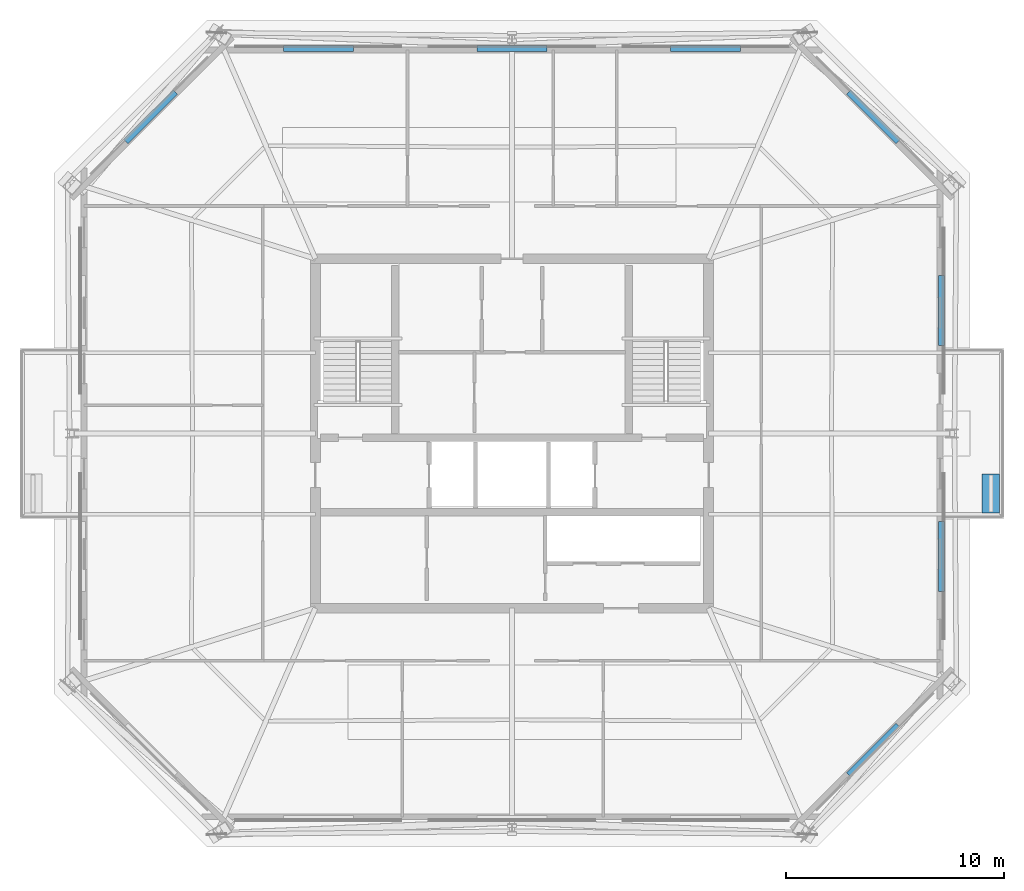
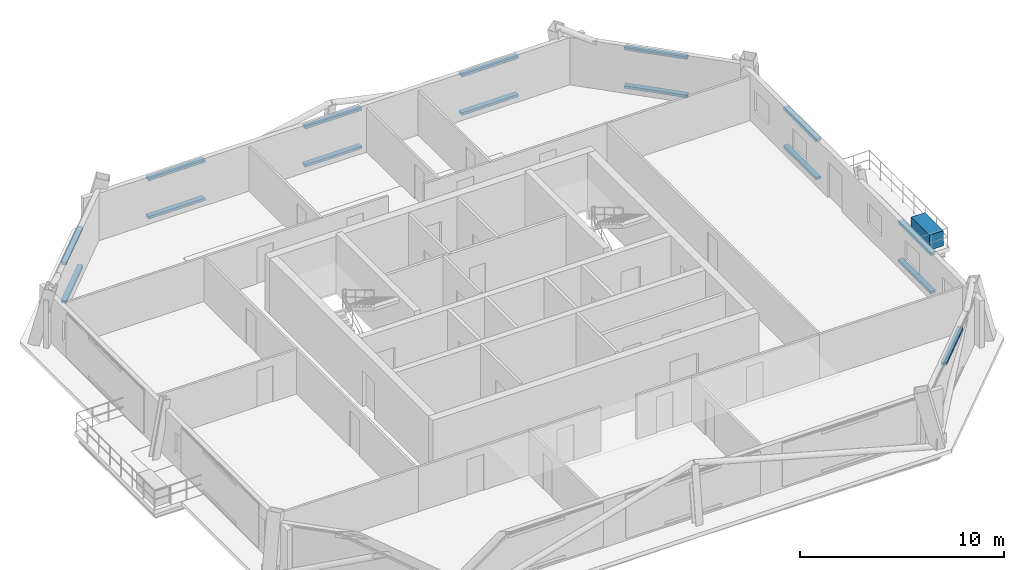
# One storey, part 5 of 7: 16 discrete accessories.
"""IFC4 building model written with IfcOpenShell, lengths in metres."""

import ifcopenshell
import ifcopenshell.guid

model = None  # the IFC model being written
_history = None  # IfcOwnerHistory: only IFC2X3 demands one
_inside = {}  # id of a spatial element -> (the spatial element, [elements in it])
_under = {}  # id of a project, library or spatial element -> (it, [spatial elements below it])
_declared = {}  # id of a project -> (the project, [libraries it declares])
_typed = {}  # id of a type object -> (the type object, [elements of that type])
_made_of = {}  # id of a material, layer set ... -> (it, [elements and type objects made of it])


def new_model(schema):
    """Start an empty IFC model of exactly this schema.

    Asked for "IFC4X3", IfcOpenShell would pick the latest addendum, in which some entities
    have other attributes; the version numbers below select the first issue.
    IFC2X3 requires an IfcOwnerHistory on every rooted entity: one is made here for all.
    """
    global model, _history
    if schema == "IFC4X3":
        model = ifcopenshell.file(schema_version=(4, 3, 0, 0))
    else:
        model = ifcopenshell.file(schema=schema)
    _inside.clear()
    _under.clear()
    _declared.clear()
    _typed.clear()
    _made_of.clear()
    _history = None
    if model.schema == "IFC2X3":
        org = make("IfcOrganization", Name="unknown")
        user = make(
            "IfcPersonAndOrganization",
            ThePerson=make("IfcPerson", FamilyName="unknown"),
            TheOrganization=org,
        )
        app = make(
            "IfcApplication",
            ApplicationDeveloper=org,
            Version="unknown",
            ApplicationFullName="unknown",
            ApplicationIdentifier="unknown",
        )
        _history = make(
            "IfcOwnerHistory",
            OwningUser=user,
            OwningApplication=app,
            ChangeAction="ADDED",
            CreationDate=0,
        )
    return model


def make(cls, **values):
    """One entity of the class cls with the attributes given. An attribute that is None is left unset."""
    return model.create_entity(
        cls, **{name: value for name, value in values.items() if value is not None}
    )


def rooted(cls, **values):
    """An entity with a GlobalId (a new one), such as an element, a storey or a relation."""
    return make(cls, GlobalId=ifcopenshell.guid.new(), OwnerHistory=_history, **values)


def si_unit(unit_type, name, prefix=None):
    """IfcSIUnit, for example si_unit("LENGTHUNIT", "METRE", prefix="MILLI")."""
    return make("IfcSIUnit", UnitType=unit_type, Prefix=prefix, Name=name)


def assignment(units):
    """IfcUnitAssignment: the units of a project."""
    return None if units is None else make("IfcUnitAssignment", Units=units)


def point(xyz):
    """IfcCartesianPoint."""
    return None if xyz is None else make("IfcCartesianPoint", Coordinates=xyz)


def direction(xyz):
    """IfcDirection."""
    return None if xyz is None else make("IfcDirection", DirectionRatios=xyz)


def frame(location, z_axis=None, x_axis=None):
    """IfcAxis2Placement3D, a coordinate frame: its origin and axes. An axis left out is left unset."""
    return make(
        "IfcAxis2Placement3D",
        Location=point(location),
        Axis=direction(z_axis),
        RefDirection=direction(x_axis),
    )


def frame_2d(location, x_axis=None):
    """IfcAxis2Placement2D, a coordinate frame in the plane: its origin and x axis."""
    return make(
        "IfcAxis2Placement2D", Location=point(location), RefDirection=direction(x_axis)
    )


def origin():
    """The frame at (0, 0, 0) with its axes left unset."""
    return frame((0.0, 0.0, 0.0))


def origin_2d():
    """The frame at (0, 0) in the plane with its x axis left unset."""
    return frame_2d((0.0, 0.0))


def place(relative_to, where):
    """IfcLocalPlacement: puts the frame where relative to a parent placement (None: the world)."""
    return make(
        "IfcLocalPlacement", PlacementRelTo=relative_to, RelativePlacement=where
    )


def context(
    kind, dimensions, precision=None, world=None, true_north=None, identifier=None
):
    """IfcGeometricRepresentationContext, for example the 3D "Model" context."""
    return make(
        "IfcGeometricRepresentationContext",
        ContextIdentifier=identifier,
        ContextType=kind,
        CoordinateSpaceDimension=dimensions,
        Precision=precision,
        WorldCoordinateSystem=world,
        TrueNorth=true_north,
    )


def subcontext(parent, identifier, kind, view, scale=None):
    """IfcGeometricRepresentationSubContext, for example "Body" below "Model"."""
    return make(
        "IfcGeometricRepresentationSubContext",
        ContextIdentifier=identifier,
        ContextType=kind,
        ParentContext=parent,
        TargetScale=scale,
        TargetView=view,
    )


def project(units=None, contexts=None):
    """IfcProject with its units and contexts."""
    return rooted(
        "IfcProject",
        Name="project",
        RepresentationContexts=contexts,
        UnitsInContext=assignment(units),
    )


def spatial(cls, under=None, at=None, **own):
    """A site, building, storey or space (cls), placed at a placement, below another one or the project."""
    s = rooted(cls, ObjectPlacement=at, **own)
    if under is not None:
        _under.setdefault(under.id(), (under, []))[1].append(s)
    return s


def profile(cls, at=None, kind="AREA", **sizes):
    """A parametric profile (cls). Its sizes go by their IFC names, for example OverallWidth=200.0."""
    return make(cls, ProfileType=kind, Position=at, **sizes)


def rectangle(**sizes):
    """IfcRectangleProfileDef."""
    return profile("IfcRectangleProfileDef", **sizes)


def extrude(swept, where, along, depth):
    """IfcExtrudedAreaSolid: the profile swept, set in the frame where, extruded along a direction by depth."""
    return make(
        "IfcExtrudedAreaSolid",
        SweptArea=swept,
        Position=where,
        ExtrudedDirection=direction(along),
        Depth=depth,
    )


def shape(context_of_items, identifier, shape_type, items):
    """IfcShapeRepresentation: the items that make up one representation, for example the "Body"."""
    return make(
        "IfcShapeRepresentation",
        ContextOfItems=context_of_items,
        RepresentationIdentifier=identifier,
        RepresentationType=shape_type,
        Items=items,
    )


def material(Name=None, Category=None):
    """IfcMaterial."""
    return make("IfcMaterial", Name=Name, Category=Category)


def made_of(thing, what):
    """Note that an element or type object is made of a material, layer set ...; save() writes the relation."""
    if what is not None:
        _made_of.setdefault(what.id(), (what, []))[1].append(thing)
    return thing


def type_object(cls, material=None, **own):
    """A type object (cls), such as IfcWallType, which elements share."""
    return made_of(rooted(cls, **own), material)


def element(
    cls,
    number,
    at=None,
    inside=None,
    cuts=None,
    type_object=None,
    material=None,
    context=None,
    identifier="Body",
    shape_type=None,
    held_by="IfcProductDefinitionShape",
    body=None,
    shapes=None,
    **own,
):
    """One element of the class cls, such as IfcWall. Its Tag is "e" and its number.

    at: its placement. inside: the storey or other place that contains it. cuts: it is an
    opening in that element (IfcRelVoidsElement). A single representation is given by context,
    identifier, shape_type and body (its items); several are given by shapes. held_by: the class
    of the entity that holds the representations. save() writes the other relations.
    """
    e = rooted(cls, Tag="e%d" % number, ObjectPlacement=at, **own)
    if body is not None:
        shapes = [shape(context, identifier, shape_type, body)]
    if shapes is not None:
        e.Representation = make(held_by, Representations=shapes)
    if inside is not None:
        _inside.setdefault(inside.id(), (inside, []))[1].append(e)
    if cuts is not None:
        rooted(
            "IfcRelVoidsElement", RelatingBuildingElement=cuts, RelatedOpeningElement=e
        )
    if type_object is not None:
        _typed.setdefault(type_object.id(), (type_object, []))[1].append(e)
    return made_of(e, material)


def aggregate(whole, parts):
    """IfcRelAggregates: a whole, such as a stair, and the parts it consists of."""
    return rooted("IfcRelAggregates", RelatingObject=whole, RelatedObjects=parts)


def save(model, path):
    """Write the relations noted so far, then the file.

    IfcRelAggregates (storeys below a building ...), IfcRelContainedInSpatialStructure (elements
    in a storey), IfcRelDefinesByType, IfcRelAssociatesMaterial and IfcRelDeclares: one each for
    every whole, place, type object, material and project.
    """
    for whole, parts in _under.values():
        aggregate(whole, parts)
    for where, things in _inside.values():
        rooted(
            "IfcRelContainedInSpatialStructure",
            RelatedElements=things,
            RelatingStructure=where,
        )
    for kind, things in _typed.values():
        rooted("IfcRelDefinesByType", RelatedObjects=things, RelatingType=kind)
    for what, things in _made_of.values():
        rooted("IfcRelAssociatesMaterial", RelatedObjects=things, RelatingMaterial=what)
    for by, libraries in _declared.values():
        rooted("IfcRelDeclares", RelatingContext=by, RelatedDefinitions=libraries)
    model.write(path)


model = new_model("IFC4")

# Units and contexts
model_context = context("Model", 3, precision=1e-05, world=origin(), true_north=direction((0.0, 1.0)))
body_context = subcontext(model_context, "Body", "Model", "MODEL_VIEW")
ifc_project = project(units=[si_unit("LENGTHUNIT", "METRE"), si_unit("AREAUNIT", "SQUARE_METRE"), si_unit("VOLUMEUNIT", "CUBIC_METRE"), si_unit("PLANEANGLEUNIT", "RADIAN"), si_unit("MASSUNIT", "GRAM", prefix="KILO")], contexts=[model_context])

# Site, building, storey
site_placement = place(None, origin())
site = spatial("IfcSite", under=ifc_project, at=site_placement, CompositionType="ELEMENT")
building_placement = place(site_placement, origin())
building = spatial("IfcBuilding", under=site, at=building_placement, Name="Caelvoria Tower", CompositionType="ELEMENT")
storey_placement = place(building_placement, frame((0.0, 0.0, 227.39990234375)))
storey = spatial("IfcBuildingStorey", under=building, at=storey_placement, Name="L60", CompositionType="ELEMENT", Elevation=227.39990234375)

# Discrete accessories
ifc_material_1 = material(Name="Anodised Bronze Stainless Bracket", Category="bronze")
discrete_accessory_type_1 = type_object("IfcDiscreteAccessoryType", Name="Solar Screen Outrigger Support Bracket", PredefinedType="BRACKET", material=ifc_material_1)
for number, where, z_axis, x_axis, name in (
    (1, (62.539306640625, 17.506103515625, 2.5322265625), (0.0, 0.0, 1.0), (0.707106781187, 0.707106781187, 0.0), "Upper Screen Band Bracket L60-E1-00"),
    (2, (65.66552734375, 26.37548828125, 0.240234375), (0.0, 0.0, 1.0), (0.0, 1.0, 0.0), "Solar Screen Bracket L60-E2-00"),
    (3, (65.66552734375, 26.37548828125, 2.5322265625), (0.0, 0.0, 1.0), (0.0, 1.0, 0.0), "Upper Screen Band Bracket L60-E2-00"),
    (4, (65.66552734375, 37.62451171875, 0.240234375), (0.0, 0.0, 1.0), (0.0, 1.0, 0.0), "Solar Screen Bracket L60-E2-01"),
    (5, (65.66552734375, 37.62451171875, 2.5322265625), (0.0, 0.0, 1.0), (0.0, 1.0, 0.0), "Upper Screen Band Bracket L60-E2-01"),
    (6, (62.539306640625, 46.493896484375, 0.240234375), (0.0, 0.0, 1.0), (-0.707106781187, 0.707106781187, 0.0), "Solar Screen Bracket L60-E3-00"),
    (7, (62.539306640625, 46.493896484375, 2.5322265625), (0.0, 0.0, 1.0), (-0.707106781187, 0.707106781187, 0.0), "Upper Screen Band Bracket L60-E3-00"),
    (8, (54.863037109375, 49.6201171875, 0.240234375), (0.0, 0.0, 1.0), (-1.0, 0.0, 0.0), "Solar Screen Bracket L60-E4-00"),
    (9, (54.863037109375, 49.6201171875, 2.5322265625), (0.0, 0.0, 1.0), (-1.0, 0.0, 0.0), "Upper Screen Band Bracket L60-E4-00"),
    (10, (46.0, 49.6201171875, 0.240234375), (0.0, 0.0, 1.0), (-1.0, 0.0, 0.0), "Solar Screen Bracket L60-E4-01"),
    (11, (46.0, 49.6201171875, 2.5322265625), (0.0, 0.0, 1.0), (-1.0, 0.0, 0.0), "Upper Screen Band Bracket L60-E4-01"),
    (12, (37.136962890625, 49.6201171875, 0.240234375), (0.0, 0.0, 1.0), (-1.0, 0.0, 0.0), "Solar Screen Bracket L60-E4-02"),
    (13, (37.136962890625, 49.6201171875, 2.5322265625), (0.0, 0.0, 1.0), (-1.0, 0.0, 0.0), "Upper Screen Band Bracket L60-E4-02"),
    (14, (29.460693359375, 46.493896484375, 0.240234375), (0.0, 0.0, 1.0), (-0.707106781187, -0.707106781187, 0.0), "Solar Screen Bracket L60-E5-00"),
    (15, (29.460693359375, 46.493896484375, 2.5322265625), (0.0, 0.0, 1.0), (-0.707106781187, -0.707106781187, 0.0), "Upper Screen Band Bracket L60-E5-00"),
):
    element("IfcDiscreteAccessory", number, at=place(storey_placement, frame(where, z_axis=z_axis, x_axis=x_axis)), inside=storey, type_object=discrete_accessory_type_1, Name=name, PredefinedType="BRACKET", context=body_context, shape_type="SweptSolid", body=[
        extrude(rectangle(XDim=3.199951171875, YDim=0.280029296875, at=origin_2d()), origin(), (0.0, 0.0, 1.0), 0.159912109375),
    ])
ifc_material_2 = material(Name="Bronze-Clad Concrete C40/50 Planter Vessel", Category="concrete")
discrete_accessory_type_2 = type_object("IfcDiscreteAccessoryType", Name="Tree Balcony Structural Planter Vessel PLANTER", PredefinedType="USERDEFINED", material=ifc_material_2)
discrete_accessory_placement = place(storey_placement, frame((67.922607421875, 29.25, 0.000244140625), z_axis=(0.0, 0.0, 1.0), x_axis=(0.0, 1.0, 0.0)))
element("IfcDiscreteAccessory", 16, at=discrete_accessory_placement, inside=storey, type_object=discrete_accessory_type_2, Name="Tree Balcony Planter TB-L60-E", ObjectType="PLANTER", PredefinedType="USERDEFINED", context=body_context, shape_type="SweptSolid", body=[
    extrude(rectangle(XDim=1.800048828125, YDim=0.800048828125, at=origin_2d()), origin(), (0.0, 0.0, 1.0), 0.89990234375),
])

save(model, "model.ifc")
